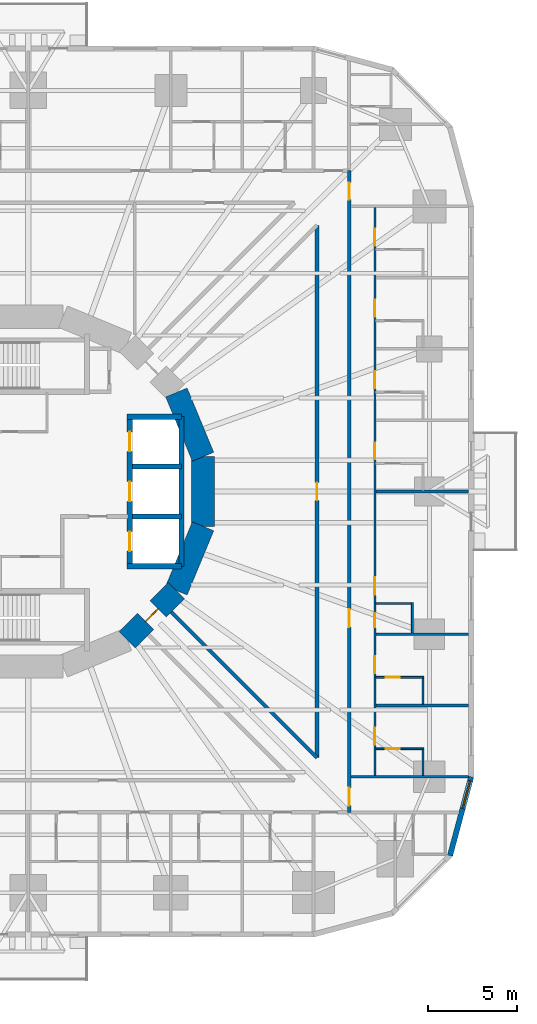
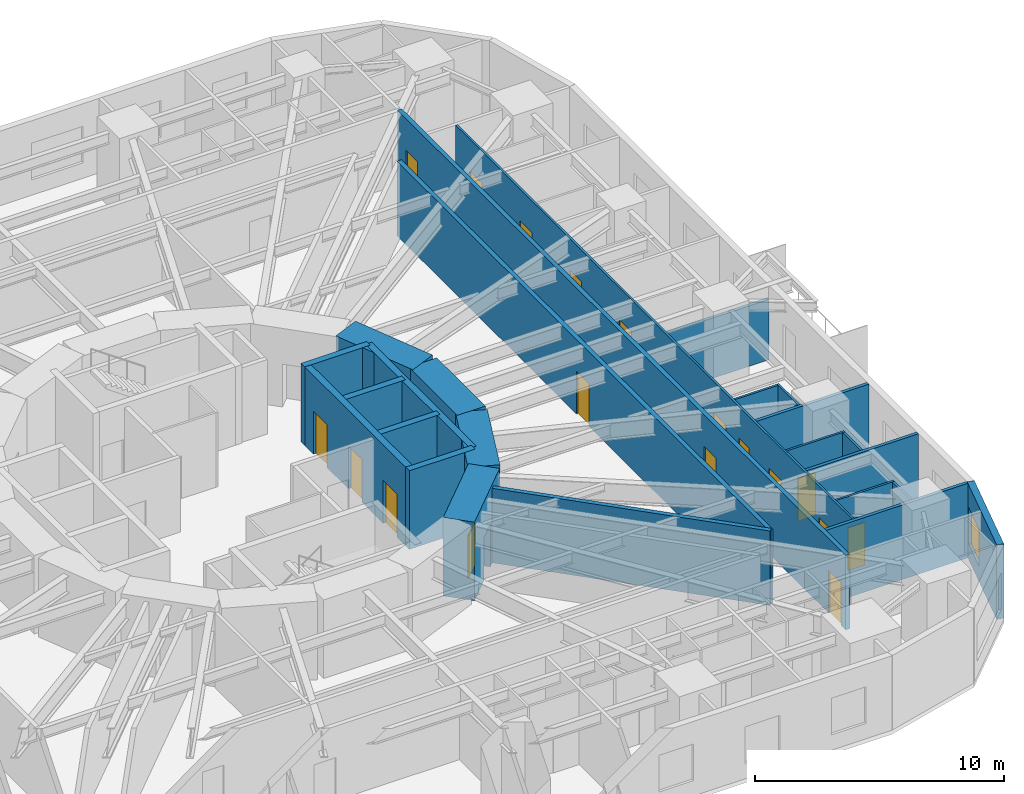
# One storey, part 8 of 14: 25 walls, 18 doors, 1 window, 19 openings.
"""IFC4 building model written with IfcOpenShell, lengths in metres."""

from ifc_helpers import new_model, si_unit, direction, frame, frame_2d, origin, place, context, subcontext, project, spatial, rectangle, extrude, material, layer, layer_set, type_object, element, fill, save


model = new_model("IFC4")

# Units and contexts
model_context = context("Model", 3, precision=1e-05, world=origin(), true_north=direction((0.0, 1.0)))
body_context = subcontext(model_context, "Body", "Model", "MODEL_VIEW")
ifc_project = project(units=[si_unit("LENGTHUNIT", "METRE"), si_unit("AREAUNIT", "SQUARE_METRE"), si_unit("VOLUMEUNIT", "CUBIC_METRE"), si_unit("PLANEANGLEUNIT", "RADIAN"), si_unit("MASSUNIT", "GRAM", prefix="KILO")], contexts=[model_context])

# Site, building, storey
site_placement = place(None, origin())
site = spatial("IfcSite", under=ifc_project, at=site_placement, CompositionType="ELEMENT")
building_placement = place(site_placement, origin())
building = spatial("IfcBuilding", under=site, at=building_placement, Name="Nakasero Lantern House", CompositionType="ELEMENT")
storey_placement = place(building_placement, frame((0.0, 0.0, 23.699951171875)))
storey = spatial("IfcBuildingStorey", under=building, at=storey_placement, Name="L05", CompositionType="ELEMENT", Elevation=23.699951171875)

# Wall, openings, doors
ifc_material_1 = material(Name="Blockwork", Category="masonry")
ifc_layer_1 = layer(ifc_material_1, 0.10009765625)
ifc_layer_set_1 = layer_set([ifc_layer_1], Name="Cluster hall wall 100")
wall_type_1 = type_object("IfcWallType", Name="Cluster hall wall 100", PredefinedType="PARTITIONING", material=ifc_layer_set_1)
wall_1_placement = place(storey_placement, frame((19.449951171875, -15.925048828125, 0.0), z_axis=(0.0, 0.0, 1.0), x_axis=(0.0, 1.0, 0.0)))
wall_1 = element("IfcWall", 1, at=wall_1_placement, inside=storey, type_object=wall_type_1, Name="Cluster hall wall L05 HW0-0", PredefinedType="PARTITIONING", context=body_context, shape_type="SweptSolid", body=[
    extrude(rectangle(XDim=31.85009765625, YDim=0.10009765625, at=frame_2d((15.925048828125, 0.0))), origin(), (0.0, 0.0, 1.0), 3.650146484375),
])
opening_1_placement = place(wall_1_placement, frame((10.125, 0.0, 0.0)))
opening_1 = element("IfcOpeningElement", 2, at=opening_1_placement, cuts=wall_1, Name="Opening D03", PredefinedType="OPENING", context=body_context, shape_type="SweptSolid", body=[
    extrude(rectangle(XDim=1.0, YDim=2.10009765625, at=frame_2d((0.5, 1.050048828125))), frame((0.0, 0.070068359375, 0.0), z_axis=(0.0, -1.0, 0.0), x_axis=(1.0, 0.0, 0.0)), (0.0, 0.0, 1.0), 0.14013671875),
])
opening_2_placement = place(wall_1_placement, frame((8.300048828125, 0.0, 0.0)))
opening_2 = element("IfcOpeningElement", 3, at=opening_2_placement, cuts=wall_1, Name="Opening D02", PredefinedType="OPENING", context=body_context, shape_type="SweptSolid", body=[
    extrude(rectangle(XDim=0.800048828125, YDim=2.10009765625, at=frame_2d((0.39990234375, 1.050048828125))), frame((0.0, 0.070068359375, 0.0), z_axis=(0.0, -1.0, 0.0), x_axis=(1.0, 0.0, 0.0)), (0.0, 0.0, 1.0), 0.14013671875),
])
opening_3_placement = place(wall_1_placement, frame((1.72509765625, 0.0, 0.0)))
opening_3 = element("IfcOpeningElement", 4, at=opening_3_placement, cuts=wall_1, Name="Opening D01", PredefinedType="OPENING", context=body_context, shape_type="SweptSolid", body=[
    extrude(rectangle(XDim=0.949951171875, YDim=2.10009765625, at=frame_2d((0.47509765625, 1.050048828125))), frame((0.0, 0.070068359375, 0.0), z_axis=(0.0, -1.0, 0.0), x_axis=(1.0, 0.0, 0.0)), (0.0, 0.0, 1.0), 0.14013671875),
])
opening_4_placement = place(wall_1_placement, frame((5.72509765625, 0.0, 0.0)))
opening_4 = element("IfcOpeningElement", 5, at=opening_4_placement, cuts=wall_1, Name="Opening D01", PredefinedType="OPENING", context=body_context, shape_type="SweptSolid", body=[
    extrude(rectangle(XDim=0.949951171875, YDim=2.10009765625, at=frame_2d((0.47509765625, 1.050048828125))), frame((0.0, 0.070068359375, 0.0), z_axis=(0.0, -1.0, 0.0), x_axis=(1.0, 0.0, 0.0)), (0.0, 0.0, 1.0), 0.14013671875),
])
opening_5_placement = place(wall_1_placement, frame((17.72509765625, 0.0, 0.0)))
opening_5 = element("IfcOpeningElement", 6, at=opening_5_placement, cuts=wall_1, Name="Opening D01", PredefinedType="OPENING", context=body_context, shape_type="SweptSolid", body=[
    extrude(rectangle(XDim=0.949951171875, YDim=2.10009765625, at=frame_2d((0.47509765625, 1.050048828125))), frame((0.0, 0.070068359375, 0.0), z_axis=(0.0, -1.0, 0.0), x_axis=(1.0, 0.0, 0.0)), (0.0, 0.0, 1.0), 0.14013671875),
])
opening_6_placement = place(wall_1_placement, frame((21.72509765625, 0.0, 0.0)))
opening_6 = element("IfcOpeningElement", 7, at=opening_6_placement, cuts=wall_1, Name="Opening D01", PredefinedType="OPENING", context=body_context, shape_type="SweptSolid", body=[
    extrude(rectangle(XDim=0.949951171875, YDim=2.10009765625, at=frame_2d((0.47509765625, 1.050048828125))), frame((0.0, 0.070068359375, 0.0), z_axis=(0.0, -1.0, 0.0), x_axis=(1.0, 0.0, 0.0)), (0.0, 0.0, 1.0), 0.14013671875),
])
opening_7_placement = place(wall_1_placement, frame((25.72509765625, 0.0, 0.0)))
opening_7 = element("IfcOpeningElement", 8, at=opening_7_placement, cuts=wall_1, Name="Opening D01", PredefinedType="OPENING", context=body_context, shape_type="SweptSolid", body=[
    extrude(rectangle(XDim=0.949951171875, YDim=2.10009765625, at=frame_2d((0.47509765625, 1.050048828125))), frame((0.0, 0.070068359375, 0.0), z_axis=(0.0, -1.0, 0.0), x_axis=(1.0, 0.0, 0.0)), (0.0, 0.0, 1.0), 0.14013671875),
])
opening_8_placement = place(wall_1_placement, frame((29.72509765625, 0.0, 0.0)))
opening_8 = element("IfcOpeningElement", 9, at=opening_8_placement, cuts=wall_1, Name="Opening D01", PredefinedType="OPENING", context=body_context, shape_type="SweptSolid", body=[
    extrude(rectangle(XDim=0.949951171875, YDim=2.10009765625, at=frame_2d((0.47509765625, 1.050048828125))), frame((0.0, 0.070068359375, 0.0), z_axis=(0.0, -1.0, 0.0), x_axis=(1.0, 0.0, 0.0)), (0.0, 0.0, 1.0), 0.14013671875),
])
ifc_material_2 = material(Name="Timber C24", Category="wood")
door_type_1 = type_object("IfcDoorType", Name="Bedroom door FD30S 950", OperationType="SINGLE_SWING_LEFT", PredefinedType="DOOR", material=ifc_material_2)
door_1_placement = place(opening_3_placement, origin())
door_1 = element("IfcDoor", 10, at=door_1_placement, inside=storey, type_object=door_type_1, Name="Door L05 D0-01", OperationType="SINGLE_SWING_LEFT", OverallHeight=2.10009765625, OverallWidth=0.949951171875, PredefinedType="DOOR", context=body_context, shape_type="SweptSolid", body=[
    extrude(rectangle(XDim=0.949951171875, YDim=2.10009765625, at=frame_2d((0.47509765625, 1.050048828125))), frame((0.0, 0.02490234375, 0.0), z_axis=(0.0, -1.0, 0.0), x_axis=(1.0, 0.0, 0.0)), (0.0, 0.0, 1.0), 0.050048828125),
])
fill(opening_3, door_1)
door_2_placement = place(opening_4_placement, origin())
door_2 = element("IfcDoor", 11, at=door_2_placement, inside=storey, type_object=door_type_1, Name="Door L05 D0-02", OperationType="SINGLE_SWING_LEFT", OverallHeight=2.10009765625, OverallWidth=0.949951171875, PredefinedType="DOOR", context=body_context, shape_type="SweptSolid", body=[
    extrude(rectangle(XDim=0.949951171875, YDim=2.10009765625, at=frame_2d((0.47509765625, 1.050048828125))), frame((0.0, 0.02490234375, 0.0), z_axis=(0.0, -1.0, 0.0), x_axis=(1.0, 0.0, 0.0)), (0.0, 0.0, 1.0), 0.050048828125),
])
fill(opening_4, door_2)
door_3_placement = place(opening_5_placement, origin())
door_3 = element("IfcDoor", 12, at=door_3_placement, inside=storey, type_object=door_type_1, Name="Door L05 D0-05", OperationType="SINGLE_SWING_RIGHT", OverallHeight=2.10009765625, OverallWidth=0.949951171875, PredefinedType="DOOR", context=body_context, shape_type="SweptSolid", body=[
    extrude(rectangle(XDim=0.949951171875, YDim=2.10009765625, at=frame_2d((0.47509765625, 1.050048828125))), frame((0.0, 0.02490234375, 0.0), z_axis=(0.0, -1.0, 0.0), x_axis=(1.0, 0.0, 0.0)), (0.0, 0.0, 1.0), 0.050048828125),
])
fill(opening_5, door_3)
door_4_placement = place(opening_6_placement, origin())
door_4 = element("IfcDoor", 13, at=door_4_placement, inside=storey, type_object=door_type_1, Name="Door L05 D0-06", OperationType="SINGLE_SWING_RIGHT", OverallHeight=2.10009765625, OverallWidth=0.949951171875, PredefinedType="DOOR", context=body_context, shape_type="SweptSolid", body=[
    extrude(rectangle(XDim=0.949951171875, YDim=2.10009765625, at=frame_2d((0.47509765625, 1.050048828125))), frame((0.0, 0.02490234375, 0.0), z_axis=(0.0, -1.0, 0.0), x_axis=(1.0, 0.0, 0.0)), (0.0, 0.0, 1.0), 0.050048828125),
])
fill(opening_6, door_4)
door_5_placement = place(opening_7_placement, origin())
door_5 = element("IfcDoor", 14, at=door_5_placement, inside=storey, type_object=door_type_1, Name="Door L05 D0-07", OperationType="SINGLE_SWING_RIGHT", OverallHeight=2.10009765625, OverallWidth=0.949951171875, PredefinedType="DOOR", context=body_context, shape_type="SweptSolid", body=[
    extrude(rectangle(XDim=0.949951171875, YDim=2.10009765625, at=frame_2d((0.47509765625, 1.050048828125))), frame((0.0, 0.02490234375, 0.0), z_axis=(0.0, -1.0, 0.0), x_axis=(1.0, 0.0, 0.0)), (0.0, 0.0, 1.0), 0.050048828125),
])
fill(opening_7, door_5)
door_6_placement = place(opening_8_placement, origin())
door_6 = element("IfcDoor", 15, at=door_6_placement, inside=storey, type_object=door_type_1, Name="Door L05 D0-08", OperationType="SINGLE_SWING_RIGHT", OverallHeight=2.10009765625, OverallWidth=0.949951171875, PredefinedType="DOOR", context=body_context, shape_type="SweptSolid", body=[
    extrude(rectangle(XDim=0.949951171875, YDim=2.10009765625, at=frame_2d((0.47509765625, 1.050048828125))), frame((0.0, 0.02490234375, 0.0), z_axis=(0.0, -1.0, 0.0), x_axis=(1.0, 0.0, 0.0)), (0.0, 0.0, 1.0), 0.050048828125),
])
fill(opening_8, door_6)
ifc_material_3 = material(Name="Timber C24", Category="wood")
door_type_2 = type_object("IfcDoorType", Name="En-suite door 800", OperationType="SINGLE_SWING_RIGHT", PredefinedType="DOOR", material=ifc_material_3)
door_7_placement = place(opening_2_placement, origin())
door_7 = element("IfcDoor", 16, at=door_7_placement, inside=storey, type_object=door_type_2, Name="Door L05 DSH0-0", OperationType="SINGLE_SWING_LEFT", OverallHeight=2.10009765625, OverallWidth=0.800048828125, PredefinedType="DOOR", context=body_context, shape_type="SweptSolid", body=[
    extrude(rectangle(XDim=0.800048828125, YDim=2.10009765625, at=frame_2d((0.39990234375, 1.050048828125))), frame((0.0, 0.02490234375, 0.0), z_axis=(0.0, -1.0, 0.0), x_axis=(1.0, 0.0, 0.0)), (0.0, 0.0, 1.0), 0.050048828125),
])
fill(opening_2, door_7)
ifc_material_4 = material(Name="Timber C24", Category="wood")
door_type_3 = type_object("IfcDoorType", Name="Lounge door FD30S 1000", OperationType="SINGLE_SWING_LEFT", PredefinedType="DOOR", material=ifc_material_4)
door_8_placement = place(opening_1_placement, origin())
door_8 = element("IfcDoor", 17, at=door_8_placement, inside=storey, type_object=door_type_3, Name="Door L05 DH0-0", OperationType="SINGLE_SWING_LEFT", OverallHeight=2.10009765625, OverallWidth=1.0, PredefinedType="DOOR", context=body_context, shape_type="SweptSolid", body=[
    extrude(rectangle(XDim=1.0, YDim=2.10009765625, at=frame_2d((0.5, 1.050048828125))), frame((0.0, 0.02490234375, 0.0), z_axis=(0.0, -1.0, 0.0), x_axis=(1.0, 0.0, 0.0)), (0.0, 0.0, 1.0), 0.050048828125),
])
fill(opening_1, door_8)

ifc_material_5 = material(Name="Concrete C50/60", Category="concrete")
ifc_layer_2 = layer(ifc_material_5, 0.300048828125)
ifc_layer_set_2 = layer_set([ifc_layer_2], Name="Core inner wall 300")
wall_type_2 = type_object("IfcWallType", Name="Core inner wall 300", PredefinedType="SHEAR", material=ifc_layer_set_2)
wall_2_placement = place(storey_placement, frame((5.699951171875, -4.199951171875, 0.0), z_axis=(0.0, 0.0, 1.0), x_axis=(0.0, 1.0, 0.0)))
wall_2 = element("IfcWall", 18, at=wall_2_placement, inside=storey, type_object=wall_type_2, Name="Core inner wall L05 LE", PredefinedType="SHEAR", context=body_context, shape_type="SweptSolid", body=[
    extrude(rectangle(XDim=8.39990234375, YDim=0.300048828125, at=frame_2d((4.199951171875, 0.0))), origin(), (0.0, 0.0, 1.0), 3.85009765625),
])
opening_9_placement = place(wall_2_placement, frame((0.85009765625, 0.0, 0.0)))
opening_9 = element("IfcOpeningElement", 19, at=opening_9_placement, cuts=wall_2, Name="Opening LD", PredefinedType="OPENING", context=body_context, shape_type="SweptSolid", body=[
    extrude(rectangle(XDim=1.10009765625, YDim=2.10009765625, at=frame_2d((0.550048828125, 1.050048828125))), frame((0.0, 0.169921875, 0.0), z_axis=(0.0, -1.0, 0.0), x_axis=(1.0, 0.0, 0.0)), (0.0, 0.0, 1.0), 0.340087890625),
])
opening_10_placement = place(wall_2_placement, frame((3.64990234375, 0.0, 0.0)))
opening_10 = element("IfcOpeningElement", 20, at=opening_10_placement, cuts=wall_2, Name="Opening LD", PredefinedType="OPENING", context=body_context, shape_type="SweptSolid", body=[
    extrude(rectangle(XDim=1.10009765625, YDim=2.10009765625, at=frame_2d((0.550048828125, 1.050048828125))), frame((0.0, 0.169921875, 0.0), z_axis=(0.0, -1.0, 0.0), x_axis=(1.0, 0.0, 0.0)), (0.0, 0.0, 1.0), 0.340087890625),
])
opening_11_placement = place(wall_2_placement, frame((6.449951171875, 0.0, 0.0)))
opening_11 = element("IfcOpeningElement", 21, at=opening_11_placement, cuts=wall_2, Name="Opening LD", PredefinedType="OPENING", context=body_context, shape_type="SweptSolid", body=[
    extrude(rectangle(XDim=1.10009765625, YDim=2.10009765625, at=frame_2d((0.550048828125, 1.050048828125))), frame((0.0, 0.169921875, 0.0), z_axis=(0.0, -1.0, 0.0), x_axis=(1.0, 0.0, 0.0)), (0.0, 0.0, 1.0), 0.340087890625),
])
ifc_material_6 = material(Name="Steel S355", Category="steel")
door_type_4 = type_object("IfcDoorType", Name="Lift landing door E120 1100", OperationType="SLIDING_TO_LEFT", PredefinedType="DOOR", material=ifc_material_6)
door_9_placement = place(opening_9_placement, origin())
door_9 = element("IfcDoor", 22, at=door_9_placement, inside=storey, type_object=door_type_4, Name="Lift landing door LE1", OperationType="SLIDING_TO_LEFT", OverallHeight=2.10009765625, OverallWidth=1.10009765625, PredefinedType="DOOR", context=body_context, shape_type="SweptSolid", body=[
    extrude(rectangle(XDim=1.10009765625, YDim=2.10009765625, at=frame_2d((0.550048828125, 1.050048828125))), frame((0.0, 0.02490234375, 0.0), z_axis=(0.0, -1.0, 0.0), x_axis=(1.0, 0.0, 0.0)), (0.0, 0.0, 1.0), 0.050048828125),
])
fill(opening_9, door_9)
door_10_placement = place(opening_10_placement, origin())
door_10 = element("IfcDoor", 23, at=door_10_placement, inside=storey, type_object=door_type_4, Name="Lift landing door LE2", OperationType="SLIDING_TO_LEFT", OverallHeight=2.10009765625, OverallWidth=1.10009765625, PredefinedType="DOOR", context=body_context, shape_type="SweptSolid", body=[
    extrude(rectangle(XDim=1.10009765625, YDim=2.10009765625, at=frame_2d((0.550048828125, 1.050048828125))), frame((0.0, 0.02490234375, 0.0), z_axis=(0.0, -1.0, 0.0), x_axis=(1.0, 0.0, 0.0)), (0.0, 0.0, 1.0), 0.050048828125),
])
fill(opening_10, door_10)
door_11_placement = place(opening_11_placement, origin())
door_11 = element("IfcDoor", 24, at=door_11_placement, inside=storey, type_object=door_type_4, Name="Lift landing door LE3", OperationType="SLIDING_TO_LEFT", OverallHeight=2.10009765625, OverallWidth=1.10009765625, PredefinedType="DOOR", context=body_context, shape_type="SweptSolid", body=[
    extrude(rectangle(XDim=1.10009765625, YDim=2.10009765625, at=frame_2d((0.550048828125, 1.050048828125))), frame((0.0, 0.02490234375, 0.0), z_axis=(0.0, -1.0, 0.0), x_axis=(1.0, 0.0, 0.0)), (0.0, 0.0, 1.0), 0.050048828125),
])
fill(opening_11, door_11)

# Walls
for number, where, z_axis, x_axis, name in (
    (25, (5.550048828125, 4.199951171875, 0.0), (0.0, 0.0, 1.0), (1.0, 0.0, 0.0), "Core inner wall L05 LEN"),
    (26, (5.550048828125, -4.199951171875, 0.0), (0.0, 0.0, 1.0), (1.0, 0.0, 0.0), "Core inner wall L05 LES"),
):
    element("IfcWall", number, at=place(storey_placement, frame(where, z_axis=z_axis, x_axis=x_axis)), inside=storey, type_object=wall_type_2, Name=name, PredefinedType="SHEAR", context=body_context, shape_type="SweptSolid", body=[
        extrude(rectangle(XDim=3.050048828125, YDim=0.300048828125, at=frame_2d((1.52490234375, 0.0))), origin(), (0.0, 0.0, 1.0), 3.85009765625),
    ])
wall_3_placement = place(storey_placement, frame((8.60009765625, -4.199951171875, 0.0), z_axis=(0.0, 0.0, 1.0), x_axis=(0.0, 1.0, 0.0)))
element("IfcWall", 27, at=wall_3_placement, inside=storey, type_object=wall_type_2, Name="Core inner wall L05 LEB", PredefinedType="SHEAR", context=body_context, shape_type="SweptSolid", body=[
    extrude(rectangle(XDim=8.39990234375, YDim=0.300048828125, at=frame_2d((4.199951171875, 0.0))), origin(), (0.0, 0.0, 1.0), 3.85009765625),
])
for number, where, z_axis, x_axis, name in (
    (28, (5.85009765625, -1.39990234375, 0.0), (0.0, 0.0, 1.0), (1.0, 0.0, 0.0), "Core inner wall L05 LE1"),
    (29, (5.85009765625, 1.39990234375, 0.0), (0.0, 0.0, 1.0), (1.0, 0.0, 0.0), "Core inner wall L05 LE2"),
):
    element("IfcWall", number, at=place(storey_placement, frame(where, z_axis=z_axis, x_axis=x_axis)), inside=storey, type_object=wall_type_2, Name=name, PredefinedType="SHEAR", context=body_context, shape_type="SweptSolid", body=[
        extrude(rectangle(XDim=2.75, YDim=0.300048828125, at=frame_2d((1.375, 0.0))), origin(), (0.0, 0.0, 1.0), 3.85009765625),
    ])
ifc_material_7 = material(Name="Concrete C50/60", Category="concrete")
ifc_layer_3 = layer(ifc_material_7, 1.300048828125)
ifc_layer_set_3 = layer_set([ifc_layer_3], Name="Core wall 1300")
wall_type_3 = type_object("IfcWallType", Name="Core wall 1300", PredefinedType="SHEAR", material=ifc_layer_set_3)
wall_4_placement = place(storey_placement, frame((9.807861328125, 1.950927734375, 0.0), z_axis=(0.0, 0.0, 1.0), x_axis=(-0.382690736062, 0.923876507187, 0.0)))
element("IfcWall", 30, at=wall_4_placement, inside=storey, type_object=wall_type_3, Name="Core wall L05 facet 1", PredefinedType="SHEAR", context=body_context, shape_type="SweptSolid", body=[
    extrude(rectangle(XDim=3.90185546875, YDim=1.300048828125, at=frame_2d((1.950927734375, 0.0))), origin(), (0.0, 0.0, 1.0), 3.85009765625),
])

# Wall, opening, door
wall_5_placement = place(storey_placement, frame((5.5556640625, -8.314697265625, 0.0), z_axis=(0.0, 0.0, 1.0), x_axis=(0.707106781187, 0.707106781187, 0.0)))
wall_5 = element("IfcWall", 31, at=wall_5_placement, inside=storey, type_object=wall_type_3, Name="Core wall L05 facet 14", PredefinedType="SHEAR", context=body_context, shape_type="SweptSolid", body=[
    extrude(rectangle(XDim=3.90185546875, YDim=1.300048828125, at=frame_2d((1.950927734375, 0.0))), origin(), (0.0, 0.0, 1.0), 3.85009765625),
])
opening_12_placement = place(wall_5_placement, frame((1.450927734375, 0.0, 0.0)))
opening_12 = element("IfcOpeningElement", 32, at=opening_12_placement, cuts=wall_5, Name="Opening D05", PredefinedType="OPENING", context=body_context, shape_type="SweptSolid", body=[
    extrude(rectangle(XDim=1.0, YDim=2.10009765625, at=frame_2d((0.5, 1.050048828125))), frame((0.0, 0.669921875, 0.0), z_axis=(0.0, -1.0, 0.0), x_axis=(1.0, 0.0, 0.0)), (0.0, 0.0, 1.0), 1.340087890625),
])
ifc_material_8 = material(Name="Timber C24", Category="wood")
door_type_5 = type_object("IfcDoorType", Name="Core door FD60S 1000", OperationType="SINGLE_SWING_LEFT", PredefinedType="DOOR", material=ifc_material_8)
door_12_placement = place(opening_12_placement, origin())
door_12 = element("IfcDoor", 33, at=door_12_placement, inside=storey, type_object=door_type_5, Name="Door L05 D-CORE14", OperationType="SINGLE_SWING_LEFT", OverallHeight=2.10009765625, OverallWidth=1.0, PredefinedType="DOOR", context=body_context, shape_type="SweptSolid", body=[
    extrude(rectangle(XDim=1.0, YDim=2.10009765625, at=frame_2d((0.5, 1.050048828125))), frame((0.0, 0.02490234375, 0.0), z_axis=(0.0, -1.0, 0.0), x_axis=(1.0, 0.0, 0.0)), (0.0, 0.0, 1.0), 0.050048828125),
])
fill(opening_12, door_12)

# Walls
for number, where, z_axis, x_axis, name in (
    (34, (8.314697265625, -5.5556640625, 0.0), (0.0, 0.0, 1.0), (0.382690736062, 0.923876507187, 0.0), "Core wall L05 facet 15"),
    (35, (9.807861328125, -1.950927734375, 0.0), (0.0, 0.0, 1.0), (0.0, 1.0, 0.0), "Core wall L05 facet 16"),
):
    element("IfcWall", number, at=place(storey_placement, frame(where, z_axis=z_axis, x_axis=x_axis)), inside=storey, type_object=wall_type_3, Name=name, PredefinedType="SHEAR", context=body_context, shape_type="SweptSolid", body=[
        extrude(rectangle(XDim=3.90185546875, YDim=1.300048828125, at=frame_2d((1.950927734375, 0.0))), origin(), (0.0, 0.0, 1.0), 3.85009765625),
    ])

# Wall, openings, doors
ifc_material_9 = material(Name="Blockwork", Category="masonry")
ifc_layer_4 = layer(ifc_material_9, 0.199951171875)
ifc_layer_set_4 = layer_set([ifc_layer_4], Name="Corridor wall 200")
wall_type_4 = type_object("IfcWallType", Name="Corridor wall 200", PredefinedType="PARTITIONING", material=ifc_layer_set_4)
wall_6_placement = place(storey_placement, frame((18.0, -18.0, 0.0), z_axis=(0.0, 0.0, 1.0), x_axis=(0.0, 1.0, 0.0)))
wall_6 = element("IfcWall", 36, at=wall_6_placement, inside=storey, type_object=wall_type_4, Name="Corridor wall L05 CW0", PredefinedType="PARTITIONING", context=body_context, shape_type="SweptSolid", body=[
    extrude(rectangle(XDim=36.0, YDim=0.199951171875, at=frame_2d((18.0, 0.0))), origin(), (0.0, 0.0, 1.0), 3.650146484375),
])
opening_13_placement = place(wall_6_placement, frame((10.39990234375, 0.0, 0.0)))
opening_13 = element("IfcOpeningElement", 37, at=opening_13_placement, cuts=wall_6, Name="Opening D14", PredefinedType="OPENING", context=body_context, shape_type="SweptSolid", body=[
    extrude(rectangle(XDim=1.0, YDim=2.10009765625, at=frame_2d((0.5, 1.050048828125))), frame((0.0, 0.119873046875, 0.0), z_axis=(0.0, -1.0, 0.0), x_axis=(1.0, 0.0, 0.0)), (0.0, 0.0, 1.0), 0.239990234375),
])
opening_14_placement = place(wall_6_placement, frame((0.375, 0.0, 0.0)))
opening_14 = element("IfcOpeningElement", 38, at=opening_14_placement, cuts=wall_6, Name="Opening D07", PredefinedType="OPENING", context=body_context, shape_type="SweptSolid", body=[
    extrude(rectangle(XDim=1.0, YDim=2.10009765625, at=frame_2d((0.5, 1.050048828125))), frame((0.0, 0.119873046875, 0.0), z_axis=(0.0, -1.0, 0.0), x_axis=(1.0, 0.0, 0.0)), (0.0, 0.0, 1.0), 0.239990234375),
])
opening_15_placement = place(wall_6_placement, frame((34.375, 0.0, 0.0)))
opening_15 = element("IfcOpeningElement", 39, at=opening_15_placement, cuts=wall_6, Name="Opening D01", PredefinedType="OPENING", context=body_context, shape_type="SweptSolid", body=[
    extrude(rectangle(XDim=0.949951171875, YDim=2.10009765625, at=frame_2d((0.47509765625, 1.050048828125))), frame((0.0, 0.119873046875, 0.0), z_axis=(0.0, -1.0, 0.0), x_axis=(1.0, 0.0, 0.0)), (0.0, 0.0, 1.0), 0.239990234375),
])
door_13_placement = place(opening_15_placement, origin())
door_13 = element("IfcDoor", 40, at=door_13_placement, inside=storey, type_object=door_type_1, Name="Door L05 D0-09", OperationType="SINGLE_SWING_RIGHT", OverallHeight=2.10009765625, OverallWidth=0.949951171875, PredefinedType="DOOR", context=body_context, shape_type="SweptSolid", body=[
    extrude(rectangle(XDim=0.949951171875, YDim=2.10009765625, at=frame_2d((0.47509765625, 1.050048828125))), frame((0.0, 0.02490234375, 0.0), z_axis=(0.0, -1.0, 0.0), x_axis=(1.0, 0.0, 0.0)), (0.0, 0.0, 1.0), 0.050048828125),
])
fill(opening_15, door_13)
ifc_material_10 = material(Name="Timber C24", Category="wood")
door_type_6 = type_object("IfcDoorType", Name="Cluster entrance door FD30S 1000", OperationType="SINGLE_SWING_LEFT", PredefinedType="DOOR", material=ifc_material_10)
door_14_placement = place(opening_13_placement, origin())
door_14 = element("IfcDoor", 41, at=door_14_placement, inside=storey, type_object=door_type_6, Name="Door L05 DF0-0", OperationType="SINGLE_SWING_LEFT", OverallHeight=2.10009765625, OverallWidth=1.0, PredefinedType="DOOR", context=body_context, shape_type="SweptSolid", body=[
    extrude(rectangle(XDim=1.0, YDim=2.10009765625, at=frame_2d((0.5, 1.050048828125))), frame((0.0, 0.02490234375, 0.0), z_axis=(0.0, -1.0, 0.0), x_axis=(1.0, 0.0, 0.0)), (0.0, 0.0, 1.0), 0.050048828125),
])
fill(opening_13, door_14)
ifc_material_11 = material(Name="Timber C24", Category="wood")
door_type_7 = type_object("IfcDoorType", Name="Room door FD30S 1000", OperationType="SINGLE_SWING_LEFT", PredefinedType="DOOR", material=ifc_material_11)
door_15_placement = place(opening_14_placement, origin())
door_15 = element("IfcDoor", 42, at=door_15_placement, inside=storey, type_object=door_type_7, Name="Door L05 D0-00", OperationType="SINGLE_SWING_LEFT", OverallHeight=2.10009765625, OverallWidth=1.0, PredefinedType="DOOR", context=body_context, shape_type="SweptSolid", body=[
    extrude(rectangle(XDim=1.0, YDim=2.10009765625, at=frame_2d((0.5, 1.050048828125))), frame((0.0, 0.02490234375, 0.0), z_axis=(0.0, -1.0, 0.0), x_axis=(1.0, 0.0, 0.0)), (0.0, 0.0, 1.0), 0.050048828125),
])
fill(opening_14, door_15)

# Wall, opening, door
wall_7_placement = place(storey_placement, frame((16.199951171875, -14.92724609375, 0.0), z_axis=(0.0, 0.0, 1.0), x_axis=(0.0, 1.0, 0.0)))
wall_7 = element("IfcWall", 43, at=wall_7_placement, inside=storey, type_object=wall_type_4, Name="Corridor wall L05 IW0-0", PredefinedType="PARTITIONING", context=body_context, shape_type="SweptSolid", body=[
    extrude(rectangle(XDim=29.8544921875, YDim=0.199951171875, at=frame_2d((14.92724609375, 0.0))), origin(), (0.0, 0.0, 1.0), 3.650146484375),
])
opening_16_placement = place(wall_7_placement, frame((14.42724609375, 0.0, 0.0)))
opening_16 = element("IfcOpeningElement", 44, at=opening_16_placement, cuts=wall_7, Name="Opening D07", PredefinedType="OPENING", context=body_context, shape_type="SweptSolid", body=[
    extrude(rectangle(XDim=1.0, YDim=2.10009765625, at=frame_2d((0.5, 1.050048828125))), frame((0.0, 0.119873046875, 0.0), z_axis=(0.0, -1.0, 0.0), x_axis=(1.0, 0.0, 0.0)), (0.0, 0.0, 1.0), 0.239990234375),
])
door_16_placement = place(opening_16_placement, origin())
door_16 = element("IfcDoor", 45, at=door_16_placement, inside=storey, type_object=door_type_7, Name="Door L05 DI1", OperationType="SINGLE_SWING_LEFT", OverallHeight=2.10009765625, OverallWidth=1.0, PredefinedType="DOOR", context=body_context, shape_type="SweptSolid", body=[
    extrude(rectangle(XDim=1.0, YDim=2.10009765625, at=frame_2d((0.5, 1.050048828125))), frame((0.0, 0.02490234375, 0.0), z_axis=(0.0, -1.0, 0.0), x_axis=(1.0, 0.0, 0.0)), (0.0, 0.0, 1.0), 0.050048828125),
])
fill(opening_16, door_16)

# Walls
wall_8_placement = place(storey_placement, frame((8.03125, -6.758544921875, 0.0), z_axis=(0.0, 0.0, 1.0), x_axis=(0.707106781187, -0.707106781187, 0.0)))
element("IfcWall", 46, at=wall_8_placement, inside=storey, type_object=wall_type_4, Name="Corridor wall L05 PS14a", PredefinedType="PARTITIONING", context=body_context, shape_type="SweptSolid", body=[
    extrude(rectangle(XDim=11.55224609375, YDim=0.199951171875, at=frame_2d((5.776123046875, 0.0))), origin(), (0.0, 0.0, 1.0), 3.650146484375),
])
ifc_material_12 = material(Name="Blockwork", Category="masonry")
ifc_layer_5 = layer(ifc_material_12, 0.10009765625)
ifc_layer_set_5 = layer_set([ifc_layer_5], Name="En-suite wall 100")
wall_type_5 = type_object("IfcWallType", Name="En-suite wall 100", PredefinedType="PARTITIONING", material=ifc_layer_set_5)
wall_9_placement = place(storey_placement, frame((19.5, -6.27490234375, 0.0), z_axis=(0.0, 0.0, 1.0), x_axis=(1.0, 0.0, 0.0)))
element("IfcWall", 47, at=wall_9_placement, inside=storey, type_object=wall_type_5, Name="En-suite wall L05 SS0-0", PredefinedType="PARTITIONING", context=body_context, shape_type="SweptSolid", body=[
    extrude(rectangle(XDim=2.10009765625, YDim=0.10009765625, at=frame_2d((1.050048828125, 0.0))), origin(), (0.0, 0.0, 1.0), 3.650146484375),
])
wall_10_placement = place(storey_placement, frame((21.550048828125, -7.925048828125, 0.0), z_axis=(0.0, 0.0, 1.0), x_axis=(0.0, 1.0, 0.0)))
element("IfcWall", 48, at=wall_10_placement, inside=storey, type_object=wall_type_5, Name="En-suite wall L05 SE0-0", PredefinedType="PARTITIONING", context=body_context, shape_type="SweptSolid", body=[
    extrude(rectangle(XDim=1.699951171875, YDim=0.10009765625, at=frame_2d((0.85009765625, 0.0))), origin(), (0.0, 0.0, 1.0), 3.650146484375),
])

# Wall, opening, door
wall_11_placement = place(storey_placement, frame((19.5, -14.425048828125, 0.0), z_axis=(0.0, 0.0, 1.0), x_axis=(1.0, 0.0, 0.0)))
wall_11 = element("IfcWall", 49, at=wall_11_placement, inside=storey, type_object=wall_type_5, Name="En-suite wall L05 ES0-01", PredefinedType="PARTITIONING", context=body_context, shape_type="SweptSolid", body=[
    extrude(rectangle(XDim=2.699951171875, YDim=0.10009765625, at=frame_2d((1.35009765625, 0.0))), origin(), (0.0, 0.0, 1.0), 3.650146484375),
])
opening_17_placement = place(wall_11_placement, frame((0.550048828125, 0.0, 0.0)))
opening_17 = element("IfcOpeningElement", 50, at=opening_17_placement, cuts=wall_11, Name="Opening D02", PredefinedType="OPENING", context=body_context, shape_type="SweptSolid", body=[
    extrude(rectangle(XDim=0.800048828125, YDim=2.10009765625, at=frame_2d((0.39990234375, 1.050048828125))), frame((0.0, 0.070068359375, 0.0), z_axis=(0.0, -1.0, 0.0), x_axis=(1.0, 0.0, 0.0)), (0.0, 0.0, 1.0), 0.14013671875),
])
door_17_placement = place(opening_17_placement, origin())
door_17 = element("IfcDoor", 51, at=door_17_placement, inside=storey, type_object=door_type_2, Name="Door L05 DE0-01", OperationType="SINGLE_SWING_LEFT", OverallHeight=2.10009765625, OverallWidth=0.800048828125, PredefinedType="DOOR", context=body_context, shape_type="SweptSolid", body=[
    extrude(rectangle(XDim=0.800048828125, YDim=2.10009765625, at=frame_2d((0.39990234375, 1.050048828125))), frame((0.0, 0.02490234375, 0.0), z_axis=(0.0, -1.0, 0.0), x_axis=(1.0, 0.0, 0.0)), (0.0, 0.0, 1.0), 0.050048828125),
])
fill(opening_17, door_17)

# Wall
wall_12_placement = place(storey_placement, frame((22.14990234375, -15.925048828125, 0.0), z_axis=(0.0, 0.0, 1.0), x_axis=(0.0, 1.0, 0.0)))
element("IfcWall", 52, at=wall_12_placement, inside=storey, type_object=wall_type_5, Name="En-suite wall L05 EE0-01", PredefinedType="PARTITIONING", context=body_context, shape_type="SweptSolid", body=[
    extrude(rectangle(XDim=1.449951171875, YDim=0.10009765625, at=frame_2d((0.72509765625, 0.0))), origin(), (0.0, 0.0, 1.0), 3.650146484375),
])

# Wall, opening, door
wall_13_placement = place(storey_placement, frame((19.5, -10.425048828125, 0.0), z_axis=(0.0, 0.0, 1.0), x_axis=(1.0, 0.0, 0.0)))
wall_13 = element("IfcWall", 53, at=wall_13_placement, inside=storey, type_object=wall_type_5, Name="En-suite wall L05 ES0-02", PredefinedType="PARTITIONING", context=body_context, shape_type="SweptSolid", body=[
    extrude(rectangle(XDim=2.699951171875, YDim=0.10009765625, at=frame_2d((1.35009765625, 0.0))), origin(), (0.0, 0.0, 1.0), 3.650146484375),
])
opening_18_placement = place(wall_13_placement, frame((0.550048828125, 0.0, 0.0)))
opening_18 = element("IfcOpeningElement", 54, at=opening_18_placement, cuts=wall_13, Name="Opening D02", PredefinedType="OPENING", context=body_context, shape_type="SweptSolid", body=[
    extrude(rectangle(XDim=0.800048828125, YDim=2.10009765625, at=frame_2d((0.39990234375, 1.050048828125))), frame((0.0, 0.070068359375, 0.0), z_axis=(0.0, -1.0, 0.0), x_axis=(1.0, 0.0, 0.0)), (0.0, 0.0, 1.0), 0.14013671875),
])
door_18_placement = place(opening_18_placement, origin())
door_18 = element("IfcDoor", 55, at=door_18_placement, inside=storey, type_object=door_type_2, Name="Door L05 DE0-02", OperationType="SINGLE_SWING_LEFT", OverallHeight=2.10009765625, OverallWidth=0.800048828125, PredefinedType="DOOR", context=body_context, shape_type="SweptSolid", body=[
    extrude(rectangle(XDim=0.800048828125, YDim=2.10009765625, at=frame_2d((0.39990234375, 1.050048828125))), frame((0.0, 0.02490234375, 0.0), z_axis=(0.0, -1.0, 0.0), x_axis=(1.0, 0.0, 0.0)), (0.0, 0.0, 1.0), 0.050048828125),
])
fill(opening_18, door_18)

# Wall
wall_14_placement = place(storey_placement, frame((22.14990234375, -11.925048828125, 0.0), z_axis=(0.0, 0.0, 1.0), x_axis=(0.0, 1.0, 0.0)))
element("IfcWall", 56, at=wall_14_placement, inside=storey, type_object=wall_type_5, Name="En-suite wall L05 EE0-02", PredefinedType="PARTITIONING", context=body_context, shape_type="SweptSolid", body=[
    extrude(rectangle(XDim=1.449951171875, YDim=0.10009765625, at=frame_2d((0.72509765625, 0.0))), origin(), (0.0, 0.0, 1.0), 3.650146484375),
])

# Wall, opening, window
ifc_material_13 = material(Name="Aluminium rainscreen on blockwork", Category="masonry")
ifc_layer_6 = layer(ifc_material_13, 0.300048828125)
ifc_layer_set_6 = layer_set([ifc_layer_6], Name="Facade wall 300")
wall_type_6 = type_object("IfcWallType", Name="Facade wall 300", PredefinedType="SOLIDWALL", material=ifc_layer_set_6)
wall_15_placement = place(storey_placement, frame((23.664306640625, -20.425048828125, 0.0), z_axis=(0.0, 0.0, 1.0), x_axis=(0.258839972501, 0.965920218567, 0.0)))
wall_15 = element("IfcWall", 57, at=wall_15_placement, inside=storey, type_object=wall_type_6, Name="Facade wall L05 FW3C3", PredefinedType="SOLIDWALL", context=body_context, shape_type="SweptSolid", body=[
    extrude(rectangle(XDim=4.5810546875, YDim=0.300048828125, at=frame_2d((2.29052734375, 0.0))), origin(), (0.0, 0.0, 1.0), 3.650146484375),
])
opening_19_placement = place(wall_15_placement, frame((2.74609375, 0.0, 0.75)))
opening_19 = element("IfcOpeningElement", 58, at=opening_19_placement, cuts=wall_15, Name="Opening W01", PredefinedType="OPENING", context=body_context, shape_type="SweptSolid", body=[
    extrude(rectangle(XDim=1.60009765625, YDim=1.800048828125, at=frame_2d((0.800048828125, 0.89990234375))), frame((0.0, 0.169921875, 0.0), z_axis=(0.0, -1.0, 0.0), x_axis=(1.0, 0.0, 0.0)), (0.0, 0.0, 1.0), 0.340087890625),
])
ifc_material_14 = material(Name="Aluminium 6063-T6 and glass", Category="aluminium")
window_type = type_object("IfcWindowType", Name="Bedroom window 1600x1800", PartitioningType="SINGLE_PANEL", PredefinedType="WINDOW", material=ifc_material_14)
window_placement = place(opening_19_placement, origin())
window = element("IfcWindow", 59, at=window_placement, inside=storey, type_object=window_type, Name="Window L05 WN0-00", OverallHeight=1.800048828125, OverallWidth=1.60009765625, PartitioningType="SINGLE_PANEL", PredefinedType="WINDOW", context=body_context, shape_type="SweptSolid", body=[
    extrude(rectangle(XDim=1.60009765625, YDim=1.800048828125, at=frame_2d((0.800048828125, 0.89990234375))), frame((0.0, 0.030029296875, 0.0), z_axis=(0.0, -1.0, 0.0), x_axis=(1.0, 0.0, 0.0)), (0.0, 0.0, 1.0), 0.06005859375),
])
fill(opening_19, window)

# Walls
ifc_material_15 = material(Name="Blockwork", Category="masonry")
ifc_layer_7 = layer(ifc_material_15, 0.14990234375)
ifc_layer_set_7 = layer_set([ifc_layer_7], Name="Party wall 150")
wall_type_7 = type_object("IfcWallType", Name="Party wall 150", PredefinedType="PARTITIONING", material=ifc_layer_set_7)
wall_16_placement = place(storey_placement, frame((18.10009765625, -16.0, 0.0), z_axis=(0.0, 0.0, 1.0), x_axis=(1.0, 0.0, 0.0)))
element("IfcWall", 60, at=wall_16_placement, inside=storey, type_object=wall_type_7, Name="Party wall L05 PW0-01", PredefinedType="PARTITIONING", context=body_context, shape_type="SweptSolid", body=[
    extrude(rectangle(XDim=6.58935546875, YDim=0.14990234375, at=frame_2d((3.294677734375, 0.0))), origin(), (0.0, 0.0, 1.0), 3.650146484375),
])
for number, where, z_axis, x_axis, name in (
    (61, (19.5, -12.0, 0.0), (0.0, 0.0, 1.0), (1.0, 0.0, 0.0), "Party wall L05 PW0-02"),
    (62, (19.5, -8.0, 0.0), (0.0, 0.0, 1.0), (1.0, 0.0, 0.0), "Party wall L05 PW0-03"),
):
    element("IfcWall", number, at=place(storey_placement, frame(where, z_axis=z_axis, x_axis=x_axis)), inside=storey, type_object=wall_type_7, Name=name, PredefinedType="PARTITIONING", context=body_context, shape_type="SweptSolid", body=[
        extrude(rectangle(XDim=5.199951171875, YDim=0.14990234375, at=frame_2d((2.60009765625, 0.0))), origin(), (0.0, 0.0, 1.0), 3.650146484375),
    ])
wall_17_placement = place(storey_placement, frame((19.5, 0.0, 0.0), z_axis=(0.0, 0.0, 1.0), x_axis=(1.0, 0.0, 0.0)))
element("IfcWall", 63, at=wall_17_placement, inside=storey, type_object=wall_type_7, Name="Party wall L05 PW0-05", PredefinedType="PARTITIONING", context=body_context, shape_type="SweptSolid", body=[
    extrude(rectangle(XDim=5.199951171875, YDim=0.14990234375, at=frame_2d((2.60009765625, 0.0))), origin(), (0.0, 0.0, 1.0), 2.95703125),
])

save(model, "model.ifc")
